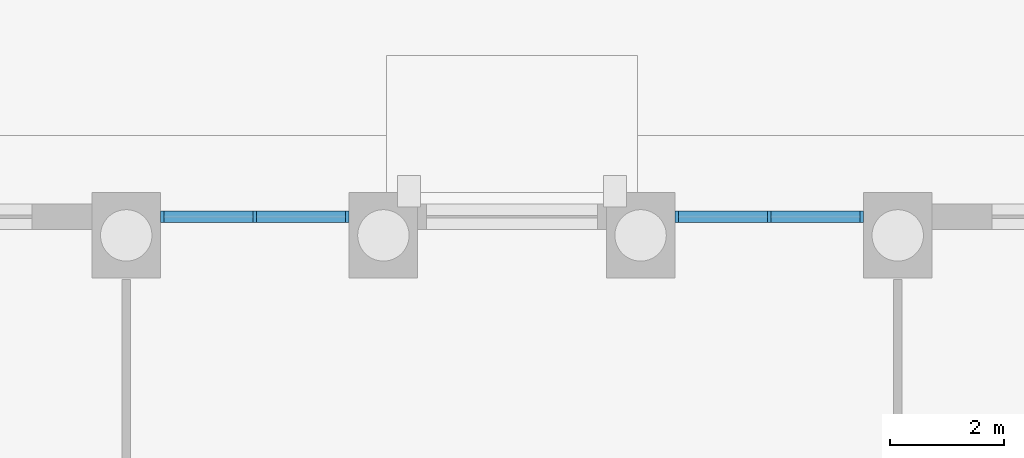
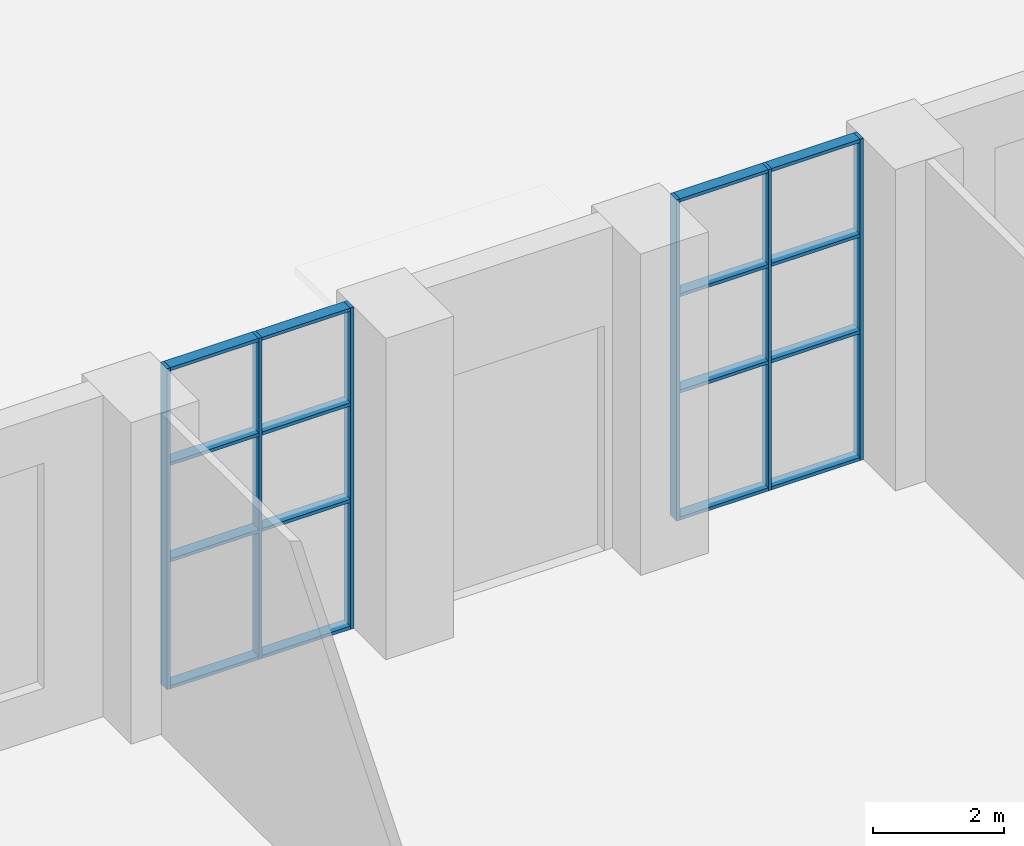
# One storey, part 6 of 44: 22 members, 2 elements without a shape of their own.
"""IFC4 building model written with IfcOpenShell, lengths in metres."""

from ifc_helpers import new_model, si_unit, direction, frame, origin, origin_2d, place, context, subcontext, project, spatial, rectangle, extrude, material, layer, layer_set, material_profile, profile_set, type_object, element, aggregate, save


model = new_model("IFC4")

# Units and contexts
model_context = context("Model", 3, precision=1e-05, world=origin(), true_north=direction((0.0, 1.0)))
body_context = subcontext(model_context, "Body", "Model", "MODEL_VIEW")
ifc_project = project(units=[si_unit("LENGTHUNIT", "METRE"), si_unit("AREAUNIT", "SQUARE_METRE"), si_unit("VOLUMEUNIT", "CUBIC_METRE"), si_unit("PLANEANGLEUNIT", "RADIAN"), si_unit("MASSUNIT", "GRAM", prefix="KILO")], contexts=[model_context])

# Site, building, storey
site_placement = place(None, origin())
site = spatial("IfcSite", under=ifc_project, at=site_placement, CompositionType="ELEMENT")
building_placement = place(site_placement, origin())
building = spatial("IfcBuilding", under=site, at=building_placement, Name="Dhurran Vertical Campus", CompositionType="ELEMENT")
storey_placement = place(building_placement, origin())
storey = spatial("IfcBuildingStorey", under=building, at=storey_placement, Name="L00", CompositionType="ELEMENT", Elevation=0.0)

# Curtain wall, members
ifc_material_1 = material(Name="Aluminium frame with solar-control glass", Category="aluminium")
ifc_layer = layer(ifc_material_1, 0.199951171875)
ifc_layer_set = layer_set([ifc_layer], Name="Aluminium frame with solar-control glass")
curtain_wall_type = type_object("IfcCurtainWallType", Name="Entrance glazing system", PredefinedType="NOTDEFINED", material=ifc_layer_set)
curtain_wall_1_placement = place(storey_placement, origin())
curtain_wall_1 = element("IfcCurtainWall", 1, at=curtain_wall_1_placement, inside=storey, type_object=curtain_wall_type, Name="CW1 L00.43", PredefinedType="NOTDEFINED")
ifc_material_2 = material(Name="Aluminium mullion", Category="aluminium")
ifc_material_profile_1 = material_profile(ifc_material_2, rectangle(XDim=0.199951171875, YDim=0.06005859375, at=origin_2d()), Name="Entrance glazing system mullion")
ifc_profile_set_1 = profile_set([ifc_material_profile_1], Name="Aluminium mullion")
member_type_1 = type_object("IfcMemberType", Name="Entrance glazing system mullion", PredefinedType="MULLION", material=ifc_profile_set_1)
member_1_placement = place(storey_placement, frame((6.119384765625, 46.943359375, 0.0), z_axis=(0.0, 0.0, 1.0), x_axis=(0.0, -1.0, 0.0)))
member_1 = element("IfcMember", 2, at=member_1_placement, type_object=member_type_1, Name="CW1 mullion 1", PredefinedType="MULLION", context=body_context, shape_type="SweptSolid", body=[
    extrude(rectangle(XDim=0.199951171875, YDim=0.06005859375, at=origin_2d()), origin(), (0.0, 0.0, 1.0), 6.0),
])
member_2_placement = place(storey_placement, frame((4.5, 46.943359375, 0.0), z_axis=(0.0, 0.0, 1.0), x_axis=(0.0, -1.0, 0.0)))
member_2 = element("IfcMember", 3, at=member_2_placement, type_object=member_type_1, Name="CW1 mullion 2", PredefinedType="MULLION", context=body_context, shape_type="SweptSolid", body=[
    extrude(rectangle(XDim=0.199951171875, YDim=0.06005859375, at=origin_2d()), origin(), (0.0, 0.0, 1.0), 6.0),
])
member_3_placement = place(storey_placement, frame((2.880615234375, 46.943359375, 0.0), z_axis=(0.0, 0.0, 1.0), x_axis=(0.0, -1.0, 0.0)))
member_3 = element("IfcMember", 4, at=member_3_placement, type_object=member_type_1, Name="CW1 mullion 3", PredefinedType="MULLION", context=body_context, shape_type="SweptSolid", body=[
    extrude(rectangle(XDim=0.199951171875, YDim=0.06005859375, at=origin_2d()), origin(), (0.0, 0.0, 1.0), 6.0),
])

curtain_wall_2_placement = place(storey_placement, origin())
curtain_wall_2 = element("IfcCurtainWall", 5, at=curtain_wall_2_placement, inside=storey, type_object=curtain_wall_type, Name="CW1 L00.45", PredefinedType="NOTDEFINED")
member_4_placement = place(storey_placement, frame((-2.880615234375, 46.943359375, 0.0), z_axis=(0.0, 0.0, 1.0), x_axis=(0.0, -1.0, 0.0)))
member_4 = element("IfcMember", 6, at=member_4_placement, type_object=member_type_1, Name="CW1 mullion 1", PredefinedType="MULLION", context=body_context, shape_type="SweptSolid", body=[
    extrude(rectangle(XDim=0.199951171875, YDim=0.06005859375, at=origin_2d()), origin(), (0.0, 0.0, 1.0), 6.0),
])
member_5_placement = place(storey_placement, frame((-4.5, 46.943359375, 0.0), z_axis=(0.0, 0.0, 1.0), x_axis=(0.0, -1.0, 0.0)))
member_5 = element("IfcMember", 7, at=member_5_placement, type_object=member_type_1, Name="CW1 mullion 2", PredefinedType="MULLION", context=body_context, shape_type="SweptSolid", body=[
    extrude(rectangle(XDim=0.199951171875, YDim=0.06005859375, at=origin_2d()), origin(), (0.0, 0.0, 1.0), 6.0),
])
member_6_placement = place(storey_placement, frame((-6.119384765625, 46.943359375, 0.0), z_axis=(0.0, 0.0, 1.0), x_axis=(0.0, -1.0, 0.0)))
member_6 = element("IfcMember", 8, at=member_6_placement, type_object=member_type_1, Name="CW1 mullion 3", PredefinedType="MULLION", context=body_context, shape_type="SweptSolid", body=[
    extrude(rectangle(XDim=0.199951171875, YDim=0.06005859375, at=origin_2d()), origin(), (0.0, 0.0, 1.0), 6.0),
])

# Member
ifc_material_3 = material(Name="Aluminium transom", Category="aluminium")
ifc_material_profile_2 = material_profile(ifc_material_3, rectangle(XDim=0.199951171875, YDim=0.06005859375, at=origin_2d()), Name="Entrance glazing system transom")
ifc_profile_set_2 = profile_set([ifc_material_profile_2], Name="Aluminium transom")
member_type_2 = type_object("IfcMemberType", Name="Entrance glazing system transom", PredefinedType="USERDEFINED", material=ifc_profile_set_2)
member_7_placement = place(storey_placement, frame((6.089599609375, 46.943359375, 0.030029296875), z_axis=(-1.0, 0.0, 0.0), x_axis=(0.0, -1.0, 0.0)))
member_7 = element("IfcMember", 9, at=member_7_placement, type_object=member_type_2, Name="CW1 transom 1.1", ObjectType="TRANSOM", PredefinedType="USERDEFINED", context=body_context, shape_type="SweptSolid", body=[
    extrude(rectangle(XDim=0.199951171875, YDim=0.06005859375, at=origin_2d()), origin(), (0.0, 0.0, 1.0), 1.5595703125),
])

member_8_placement = place(storey_placement, frame((6.089599609375, 46.943359375, 2.39990234375), z_axis=(-1.0, 0.0, 0.0), x_axis=(0.0, -1.0, 0.0)))
member_8 = element("IfcMember", 10, at=member_8_placement, type_object=member_type_2, Name="CW1 transom 1.2", ObjectType="TRANSOM", PredefinedType="USERDEFINED", context=body_context, shape_type="SweptSolid", body=[
    extrude(rectangle(XDim=0.199951171875, YDim=0.06005859375, at=origin_2d()), origin(), (0.0, 0.0, 1.0), 1.5595703125),
])

member_9_placement = place(storey_placement, frame((6.089599609375, 46.943359375, 4.199951171875), z_axis=(-1.0, 0.0, 0.0), x_axis=(0.0, -1.0, 0.0)))
member_9 = element("IfcMember", 11, at=member_9_placement, type_object=member_type_2, Name="CW1 transom 1.3", ObjectType="TRANSOM", PredefinedType="USERDEFINED", context=body_context, shape_type="SweptSolid", body=[
    extrude(rectangle(XDim=0.199951171875, YDim=0.06005859375, at=origin_2d()), origin(), (0.0, 0.0, 1.0), 1.5595703125),
])

member_10_placement = place(storey_placement, frame((6.089599609375, 46.943359375, 5.969970703125), z_axis=(-1.0, 0.0, 0.0), x_axis=(0.0, -1.0, 0.0)))
member_10 = element("IfcMember", 12, at=member_10_placement, type_object=member_type_2, Name="CW1 transom 1.4", ObjectType="TRANSOM", PredefinedType="USERDEFINED", context=body_context, shape_type="SweptSolid", body=[
    extrude(rectangle(XDim=0.199951171875, YDim=0.06005859375, at=origin_2d()), origin(), (0.0, 0.0, 1.0), 1.5595703125),
])

member_11_placement = place(storey_placement, frame((4.469970703125, 46.943359375, 0.030029296875), z_axis=(-1.0, 0.0, 0.0), x_axis=(0.0, -1.0, 0.0)))
member_11 = element("IfcMember", 13, at=member_11_placement, type_object=member_type_2, Name="CW1 transom 2.1", ObjectType="TRANSOM", PredefinedType="USERDEFINED", context=body_context, shape_type="SweptSolid", body=[
    extrude(rectangle(XDim=0.199951171875, YDim=0.06005859375, at=origin_2d()), origin(), (0.0, 0.0, 1.0), 1.5595703125),
])

member_12_placement = place(storey_placement, frame((4.469970703125, 46.943359375, 2.39990234375), z_axis=(-1.0, 0.0, 0.0), x_axis=(0.0, -1.0, 0.0)))
member_12 = element("IfcMember", 14, at=member_12_placement, type_object=member_type_2, Name="CW1 transom 2.2", ObjectType="TRANSOM", PredefinedType="USERDEFINED", context=body_context, shape_type="SweptSolid", body=[
    extrude(rectangle(XDim=0.199951171875, YDim=0.06005859375, at=origin_2d()), origin(), (0.0, 0.0, 1.0), 1.5595703125),
])

member_13_placement = place(storey_placement, frame((4.469970703125, 46.943359375, 4.199951171875), z_axis=(-1.0, 0.0, 0.0), x_axis=(0.0, -1.0, 0.0)))
member_13 = element("IfcMember", 15, at=member_13_placement, type_object=member_type_2, Name="CW1 transom 2.3", ObjectType="TRANSOM", PredefinedType="USERDEFINED", context=body_context, shape_type="SweptSolid", body=[
    extrude(rectangle(XDim=0.199951171875, YDim=0.06005859375, at=origin_2d()), origin(), (0.0, 0.0, 1.0), 1.5595703125),
])

member_14_placement = place(storey_placement, frame((4.469970703125, 46.943359375, 5.969970703125), z_axis=(-1.0, 0.0, 0.0), x_axis=(0.0, -1.0, 0.0)))
member_14 = element("IfcMember", 16, at=member_14_placement, type_object=member_type_2, Name="CW1 transom 2.4", ObjectType="TRANSOM", PredefinedType="USERDEFINED", context=body_context, shape_type="SweptSolid", body=[
    extrude(rectangle(XDim=0.199951171875, YDim=0.06005859375, at=origin_2d()), origin(), (0.0, 0.0, 1.0), 1.5595703125),
])

aggregate(curtain_wall_1, [member_1, member_2, member_3, member_7, member_8, member_9, member_10, member_11, member_12, member_13, member_14])

member_15_placement = place(storey_placement, frame((-2.910400390625, 46.943359375, 0.030029296875), z_axis=(-1.0, 0.0, 0.0), x_axis=(0.0, -1.0, 0.0)))
member_15 = element("IfcMember", 17, at=member_15_placement, type_object=member_type_2, Name="CW1 transom 1.1", ObjectType="TRANSOM", PredefinedType="USERDEFINED", context=body_context, shape_type="SweptSolid", body=[
    extrude(rectangle(XDim=0.199951171875, YDim=0.06005859375, at=origin_2d()), origin(), (0.0, 0.0, 1.0), 1.5595703125),
])

member_16_placement = place(storey_placement, frame((-2.910400390625, 46.943359375, 2.39990234375), z_axis=(-1.0, 0.0, 0.0), x_axis=(0.0, -1.0, 0.0)))
member_16 = element("IfcMember", 18, at=member_16_placement, type_object=member_type_2, Name="CW1 transom 1.2", ObjectType="TRANSOM", PredefinedType="USERDEFINED", context=body_context, shape_type="SweptSolid", body=[
    extrude(rectangle(XDim=0.199951171875, YDim=0.06005859375, at=origin_2d()), origin(), (0.0, 0.0, 1.0), 1.5595703125),
])

member_17_placement = place(storey_placement, frame((-2.910400390625, 46.943359375, 4.199951171875), z_axis=(-1.0, 0.0, 0.0), x_axis=(0.0, -1.0, 0.0)))
member_17 = element("IfcMember", 19, at=member_17_placement, type_object=member_type_2, Name="CW1 transom 1.3", ObjectType="TRANSOM", PredefinedType="USERDEFINED", context=body_context, shape_type="SweptSolid", body=[
    extrude(rectangle(XDim=0.199951171875, YDim=0.06005859375, at=origin_2d()), origin(), (0.0, 0.0, 1.0), 1.5595703125),
])

member_18_placement = place(storey_placement, frame((-2.910400390625, 46.943359375, 5.969970703125), z_axis=(-1.0, 0.0, 0.0), x_axis=(0.0, -1.0, 0.0)))
member_18 = element("IfcMember", 20, at=member_18_placement, type_object=member_type_2, Name="CW1 transom 1.4", ObjectType="TRANSOM", PredefinedType="USERDEFINED", context=body_context, shape_type="SweptSolid", body=[
    extrude(rectangle(XDim=0.199951171875, YDim=0.06005859375, at=origin_2d()), origin(), (0.0, 0.0, 1.0), 1.5595703125),
])

member_19_placement = place(storey_placement, frame((-4.530029296875, 46.943359375, 0.030029296875), z_axis=(-1.0, 0.0, 0.0), x_axis=(0.0, -1.0, 0.0)))
member_19 = element("IfcMember", 21, at=member_19_placement, type_object=member_type_2, Name="CW1 transom 2.1", ObjectType="TRANSOM", PredefinedType="USERDEFINED", context=body_context, shape_type="SweptSolid", body=[
    extrude(rectangle(XDim=0.199951171875, YDim=0.06005859375, at=origin_2d()), origin(), (0.0, 0.0, 1.0), 1.5595703125),
])

member_20_placement = place(storey_placement, frame((-4.530029296875, 46.943359375, 2.39990234375), z_axis=(-1.0, 0.0, 0.0), x_axis=(0.0, -1.0, 0.0)))
member_20 = element("IfcMember", 22, at=member_20_placement, type_object=member_type_2, Name="CW1 transom 2.2", ObjectType="TRANSOM", PredefinedType="USERDEFINED", context=body_context, shape_type="SweptSolid", body=[
    extrude(rectangle(XDim=0.199951171875, YDim=0.06005859375, at=origin_2d()), origin(), (0.0, 0.0, 1.0), 1.5595703125),
])

member_21_placement = place(storey_placement, frame((-4.530029296875, 46.943359375, 4.199951171875), z_axis=(-1.0, 0.0, 0.0), x_axis=(0.0, -1.0, 0.0)))
member_21 = element("IfcMember", 23, at=member_21_placement, type_object=member_type_2, Name="CW1 transom 2.3", ObjectType="TRANSOM", PredefinedType="USERDEFINED", context=body_context, shape_type="SweptSolid", body=[
    extrude(rectangle(XDim=0.199951171875, YDim=0.06005859375, at=origin_2d()), origin(), (0.0, 0.0, 1.0), 1.5595703125),
])

member_22_placement = place(storey_placement, frame((-4.530029296875, 46.943359375, 5.969970703125), z_axis=(-1.0, 0.0, 0.0), x_axis=(0.0, -1.0, 0.0)))
member_22 = element("IfcMember", 24, at=member_22_placement, type_object=member_type_2, Name="CW1 transom 2.4", ObjectType="TRANSOM", PredefinedType="USERDEFINED", context=body_context, shape_type="SweptSolid", body=[
    extrude(rectangle(XDim=0.199951171875, YDim=0.06005859375, at=origin_2d()), origin(), (0.0, 0.0, 1.0), 1.5595703125),
])

aggregate(curtain_wall_2, [member_4, member_5, member_6, member_15, member_16, member_17, member_18, member_19, member_20, member_21, member_22])

save(model, "model.ifc")
